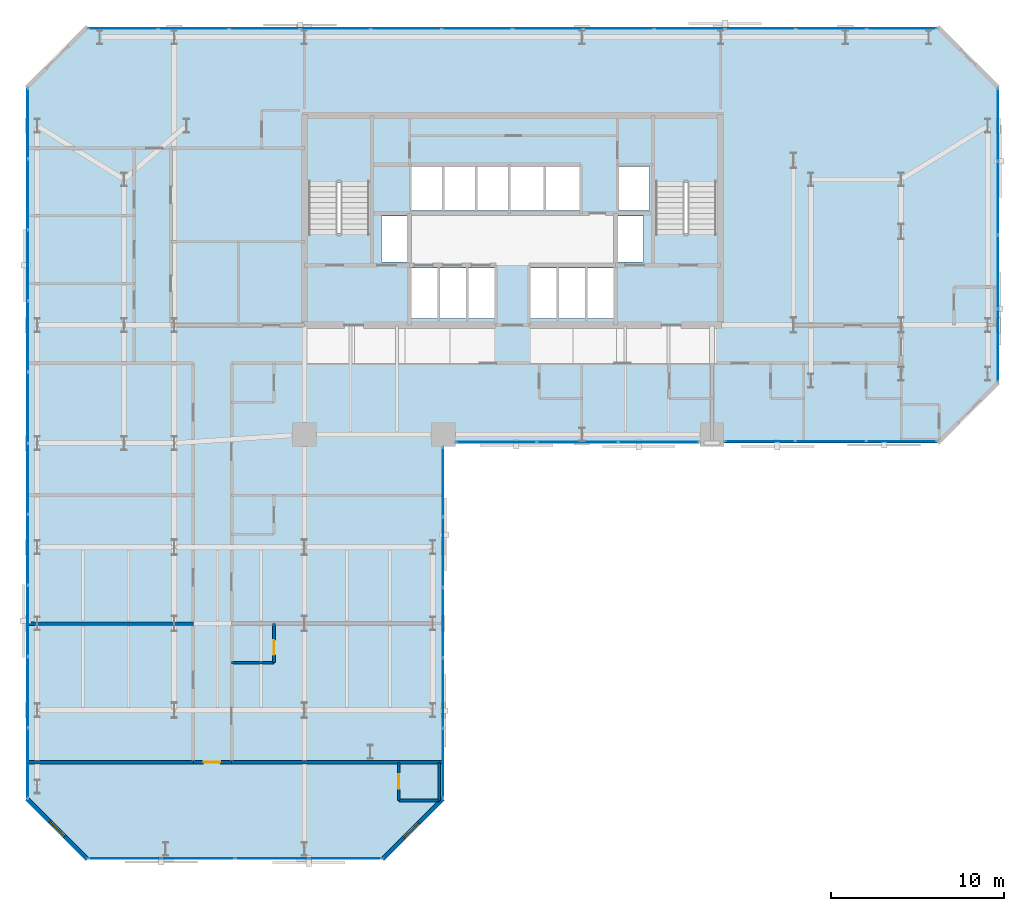
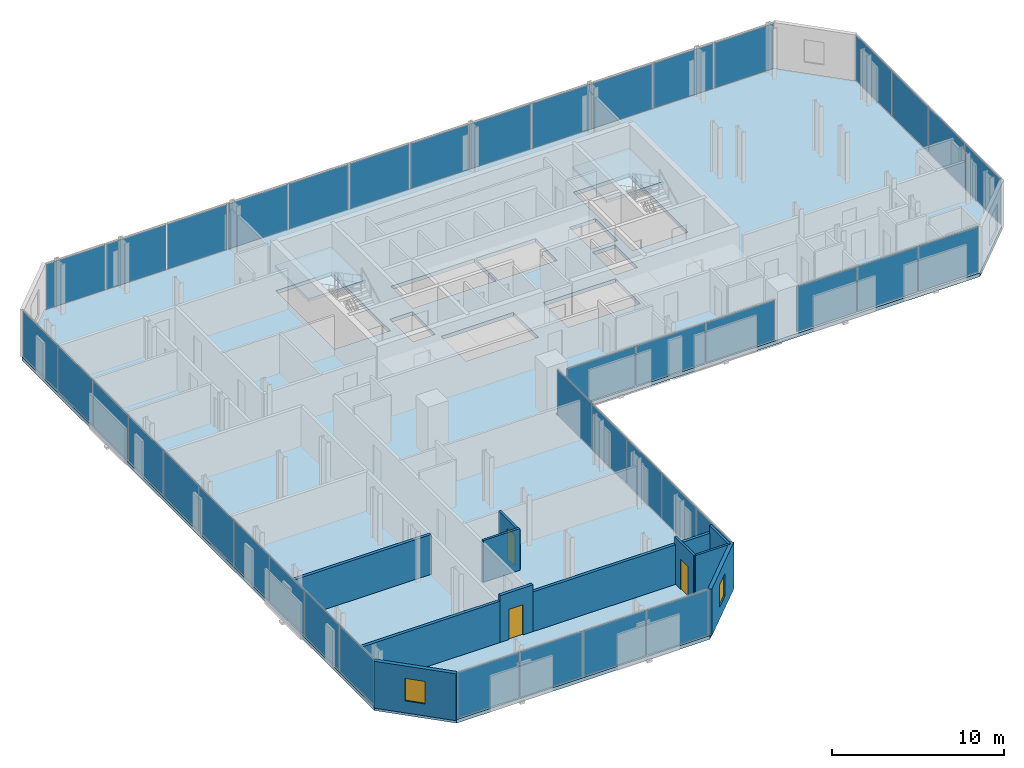
# One storey, part 27 of 32: 41 plates, 11 walls, 3 doors, 3 slabs, 2 windows, 5 openings, 9 elements without a shape of their own.
"""IFC4 building model written with IfcOpenShell, lengths in metres."""

import ifcopenshell
import ifcopenshell.guid

model = None  # the IFC model being written
_history = None  # IfcOwnerHistory: only IFC2X3 demands one
_inside = {}  # id of a spatial element -> (the spatial element, [elements in it])
_under = {}  # id of a project, library or spatial element -> (it, [spatial elements below it])
_declared = {}  # id of a project -> (the project, [libraries it declares])
_typed = {}  # id of a type object -> (the type object, [elements of that type])
_made_of = {}  # id of a material, layer set ... -> (it, [elements and type objects made of it])


def new_model(schema):
    """Start an empty IFC model of exactly this schema.

    Asked for "IFC4X3", IfcOpenShell would pick the latest addendum, in which some entities
    have other attributes; the version numbers below select the first issue.
    IFC2X3 requires an IfcOwnerHistory on every rooted entity: one is made here for all.
    """
    global model, _history
    if schema == "IFC4X3":
        model = ifcopenshell.file(schema_version=(4, 3, 0, 0))
    else:
        model = ifcopenshell.file(schema=schema)
    _inside.clear()
    _under.clear()
    _declared.clear()
    _typed.clear()
    _made_of.clear()
    _history = None
    if model.schema == "IFC2X3":
        org = make("IfcOrganization", Name="unknown")
        user = make(
            "IfcPersonAndOrganization",
            ThePerson=make("IfcPerson", FamilyName="unknown"),
            TheOrganization=org,
        )
        app = make(
            "IfcApplication",
            ApplicationDeveloper=org,
            Version="unknown",
            ApplicationFullName="unknown",
            ApplicationIdentifier="unknown",
        )
        _history = make(
            "IfcOwnerHistory",
            OwningUser=user,
            OwningApplication=app,
            ChangeAction="ADDED",
            CreationDate=0,
        )
    return model


def make(cls, **values):
    """One entity of the class cls with the attributes given. An attribute that is None is left unset."""
    return model.create_entity(
        cls, **{name: value for name, value in values.items() if value is not None}
    )


def rooted(cls, **values):
    """An entity with a GlobalId (a new one), such as an element, a storey or a relation."""
    return make(cls, GlobalId=ifcopenshell.guid.new(), OwnerHistory=_history, **values)


def si_unit(unit_type, name, prefix=None):
    """IfcSIUnit, for example si_unit("LENGTHUNIT", "METRE", prefix="MILLI")."""
    return make("IfcSIUnit", UnitType=unit_type, Prefix=prefix, Name=name)


def assignment(units):
    """IfcUnitAssignment: the units of a project."""
    return None if units is None else make("IfcUnitAssignment", Units=units)


def point(xyz):
    """IfcCartesianPoint."""
    return None if xyz is None else make("IfcCartesianPoint", Coordinates=xyz)


def direction(xyz):
    """IfcDirection."""
    return None if xyz is None else make("IfcDirection", DirectionRatios=xyz)


def frame(location, z_axis=None, x_axis=None):
    """IfcAxis2Placement3D, a coordinate frame: its origin and axes. An axis left out is left unset."""
    return make(
        "IfcAxis2Placement3D",
        Location=point(location),
        Axis=direction(z_axis),
        RefDirection=direction(x_axis),
    )


def frame_2d(location, x_axis=None):
    """IfcAxis2Placement2D, a coordinate frame in the plane: its origin and x axis."""
    return make(
        "IfcAxis2Placement2D", Location=point(location), RefDirection=direction(x_axis)
    )


def origin():
    """The frame at (0, 0, 0) with its axes left unset."""
    return frame((0.0, 0.0, 0.0))


def origin_2d():
    """The frame at (0, 0) in the plane with its x axis left unset."""
    return frame_2d((0.0, 0.0))


def place(relative_to, where):
    """IfcLocalPlacement: puts the frame where relative to a parent placement (None: the world)."""
    return make(
        "IfcLocalPlacement", PlacementRelTo=relative_to, RelativePlacement=where
    )


def context(
    kind, dimensions, precision=None, world=None, true_north=None, identifier=None
):
    """IfcGeometricRepresentationContext, for example the 3D "Model" context."""
    return make(
        "IfcGeometricRepresentationContext",
        ContextIdentifier=identifier,
        ContextType=kind,
        CoordinateSpaceDimension=dimensions,
        Precision=precision,
        WorldCoordinateSystem=world,
        TrueNorth=true_north,
    )


def subcontext(parent, identifier, kind, view, scale=None):
    """IfcGeometricRepresentationSubContext, for example "Body" below "Model"."""
    return make(
        "IfcGeometricRepresentationSubContext",
        ContextIdentifier=identifier,
        ContextType=kind,
        ParentContext=parent,
        TargetScale=scale,
        TargetView=view,
    )


def project(units=None, contexts=None):
    """IfcProject with its units and contexts."""
    return rooted(
        "IfcProject",
        Name="project",
        RepresentationContexts=contexts,
        UnitsInContext=assignment(units),
    )


def spatial(cls, under=None, at=None, **own):
    """A site, building, storey or space (cls), placed at a placement, below another one or the project."""
    s = rooted(cls, ObjectPlacement=at, **own)
    if under is not None:
        _under.setdefault(under.id(), (under, []))[1].append(s)
    return s


def polyline(points):
    """IfcPolyline through the points."""
    return make("IfcPolyline", Points=[point(p) for p in points])


def profile(cls, at=None, kind="AREA", **sizes):
    """A parametric profile (cls). Its sizes go by their IFC names, for example OverallWidth=200.0."""
    return make(cls, ProfileType=kind, Position=at, **sizes)


def rectangle(**sizes):
    """IfcRectangleProfileDef."""
    return profile("IfcRectangleProfileDef", **sizes)


def outline(outer, holes=None, kind="AREA"):
    """IfcArbitraryClosedProfileDef: a profile drawn as a closed curve; with holes, ...WithVoids."""
    if holes is None:
        return make("IfcArbitraryClosedProfileDef", ProfileType=kind, OuterCurve=outer)
    return make(
        "IfcArbitraryProfileDefWithVoids",
        ProfileType=kind,
        OuterCurve=outer,
        InnerCurves=holes,
    )


def extrude(swept, where, along, depth):
    """IfcExtrudedAreaSolid: the profile swept, set in the frame where, extruded along a direction by depth."""
    return make(
        "IfcExtrudedAreaSolid",
        SweptArea=swept,
        Position=where,
        ExtrudedDirection=direction(along),
        Depth=depth,
    )


def shape(context_of_items, identifier, shape_type, items):
    """IfcShapeRepresentation: the items that make up one representation, for example the "Body"."""
    return make(
        "IfcShapeRepresentation",
        ContextOfItems=context_of_items,
        RepresentationIdentifier=identifier,
        RepresentationType=shape_type,
        Items=items,
    )


def material(Name=None, Category=None):
    """IfcMaterial."""
    return make("IfcMaterial", Name=Name, Category=Category)


def layer(
    of_material, thickness, ventilated=None, Name=None, Category=None, Priority=None
):
    """IfcMaterialLayer: one layer of a wall or slab, of a material (None: an air gap)."""
    return make(
        "IfcMaterialLayer",
        Material=of_material,
        LayerThickness=thickness,
        IsVentilated=ventilated,
        Name=Name,
        Category=Category,
        Priority=Priority,
    )


def layer_set(layers, Name=None):
    """IfcMaterialLayerSet."""
    return make("IfcMaterialLayerSet", MaterialLayers=layers, LayerSetName=Name)


def made_of(thing, what):
    """Note that an element or type object is made of a material, layer set ...; save() writes the relation."""
    if what is not None:
        _made_of.setdefault(what.id(), (what, []))[1].append(thing)
    return thing


def type_object(cls, material=None, **own):
    """A type object (cls), such as IfcWallType, which elements share."""
    return made_of(rooted(cls, **own), material)


def element(
    cls,
    number,
    at=None,
    inside=None,
    cuts=None,
    type_object=None,
    material=None,
    context=None,
    identifier="Body",
    shape_type=None,
    held_by="IfcProductDefinitionShape",
    body=None,
    shapes=None,
    **own,
):
    """One element of the class cls, such as IfcWall. Its Tag is "e" and its number.

    at: its placement. inside: the storey or other place that contains it. cuts: it is an
    opening in that element (IfcRelVoidsElement). A single representation is given by context,
    identifier, shape_type and body (its items); several are given by shapes. held_by: the class
    of the entity that holds the representations. save() writes the other relations.
    """
    e = rooted(cls, Tag="e%d" % number, ObjectPlacement=at, **own)
    if body is not None:
        shapes = [shape(context, identifier, shape_type, body)]
    if shapes is not None:
        e.Representation = make(held_by, Representations=shapes)
    if inside is not None:
        _inside.setdefault(inside.id(), (inside, []))[1].append(e)
    if cuts is not None:
        rooted(
            "IfcRelVoidsElement", RelatingBuildingElement=cuts, RelatedOpeningElement=e
        )
    if type_object is not None:
        _typed.setdefault(type_object.id(), (type_object, []))[1].append(e)
    return made_of(e, material)


def fill(opening, filler):
    """IfcRelFillsElement: the door or window that sits in an opening."""
    return rooted(
        "IfcRelFillsElement",
        RelatingOpeningElement=opening,
        RelatedBuildingElement=filler,
    )


def aggregate(whole, parts):
    """IfcRelAggregates: a whole, such as a stair, and the parts it consists of."""
    return rooted("IfcRelAggregates", RelatingObject=whole, RelatedObjects=parts)


def save(model, path):
    """Write the relations noted so far, then the file.

    IfcRelAggregates (storeys below a building ...), IfcRelContainedInSpatialStructure (elements
    in a storey), IfcRelDefinesByType, IfcRelAssociatesMaterial and IfcRelDeclares: one each for
    every whole, place, type object, material and project.
    """
    for whole, parts in _under.values():
        aggregate(whole, parts)
    for where, things in _inside.values():
        rooted(
            "IfcRelContainedInSpatialStructure",
            RelatedElements=things,
            RelatingStructure=where,
        )
    for kind, things in _typed.values():
        rooted("IfcRelDefinesByType", RelatedObjects=things, RelatingType=kind)
    for what, things in _made_of.values():
        rooted("IfcRelAssociatesMaterial", RelatedObjects=things, RelatingMaterial=what)
    for by, libraries in _declared.values():
        rooted("IfcRelDeclares", RelatingContext=by, RelatedDefinitions=libraries)
    model.write(path)


model = new_model("IFC4")

# Units and contexts
model_context = context("Model", 3, precision=1e-05, world=origin(), true_north=direction((0.0, 1.0)))
body_context = subcontext(model_context, "Body", "Model", "MODEL_VIEW")
ifc_project = project(units=[si_unit("LENGTHUNIT", "METRE"), si_unit("AREAUNIT", "SQUARE_METRE"), si_unit("VOLUMEUNIT", "CUBIC_METRE"), si_unit("PLANEANGLEUNIT", "RADIAN"), si_unit("MASSUNIT", "GRAM", prefix="KILO")], contexts=[model_context])

# Site, building, storey
site_placement = place(None, origin())
site = spatial("IfcSite", under=ifc_project, at=site_placement, CompositionType="ELEMENT")
building_placement = place(site_placement, origin())
building = spatial("IfcBuilding", under=site, at=building_placement, Name="Catumbela Crestline Tower", CompositionType="ELEMENT")
storey_placement = place(building_placement, frame((0.0, 0.0, 61.8)))
storey = spatial("IfcBuildingStorey", under=building, at=storey_placement, Name="L15", CompositionType="ELEMENT", Elevation=61.8)

# Curtain wall, plates
ifc_material_1 = material(Name="Aluminium alloy AW-6060-T66", Category="aluminium")
ifc_layer_1 = layer(ifc_material_1, 0.18, Name="Aluminium alloy AW-6060-T66")
ifc_layer_set_1 = layer_set([ifc_layer_1], Name="Aluminium alloy AW-6060-T66")
curtain_wall_type = type_object("IfcCurtainWallType", Name="CWU-Z1", PredefinedType="USERDEFINED", material=ifc_layer_set_1)
curtain_wall_1_placement = place(storey_placement, origin())
curtain_wall_1 = element("IfcCurtainWall", 1, at=curtain_wall_1_placement, inside=storey, type_object=curtain_wall_type, Name="L15 Unitised Curtain Wall CW-L15-E0S1", ObjectType="UNITISED", PredefinedType="USERDEFINED")
ifc_material_2 = material(Name="Low-E laminated solar-control double glazing", Category="glass")
ifc_layer_2 = layer(ifc_material_2, 0.034, Name="Low-E laminated solar-control double glazing")
ifc_layer_set_2 = layer_set([ifc_layer_2], Name="Low-E laminated solar-control double glazing")
plate_type = type_object("IfcPlateType", Name="PNL-GLZ-Z1", PredefinedType="CURTAIN_PANEL", material=ifc_layer_set_2)
plate_1_placement = place(storey_placement, frame((5.6412, 0.05, 0.06), z_axis=(0.0, 0.0, 1.0), x_axis=(1.0, 0.0, 0.0)))
plate_1 = element("IfcPlate", 2, at=plate_1_placement, type_object=plate_type, Name="CWU-Z1 panel 1.1", PredefinedType="CURTAIN_PANEL", context=body_context, shape_type="SweptSolid", body=[
    extrude(rectangle(XDim=4.1525, YDim=0.034, at=origin_2d()), origin(), (0.0, 0.0, 1.0), 3.21),
])
plate_2_placement = place(storey_placement, frame((9.875, 0.05, 0.06), z_axis=(0.0, 0.0, 1.0), x_axis=(1.0, 0.0, 0.0)))
plate_2 = element("IfcPlate", 3, at=plate_2_placement, type_object=plate_type, Name="CWU-Z1 panel 2.1", PredefinedType="CURTAIN_PANEL", context=body_context, shape_type="SweptSolid", body=[
    extrude(rectangle(XDim=4.185, YDim=0.034, at=origin_2d()), origin(), (0.0, 0.0, 1.0), 3.21),
])
plate_3_placement = place(storey_placement, frame((14.125, 0.05, 0.06), z_axis=(0.0, 0.0, 1.0), x_axis=(1.0, 0.0, 0.0)))
plate_3 = element("IfcPlate", 4, at=plate_3_placement, type_object=plate_type, Name="CWU-Z1 panel 3.1", PredefinedType="CURTAIN_PANEL", context=body_context, shape_type="SweptSolid", body=[
    extrude(rectangle(XDim=4.185, YDim=0.034, at=origin_2d()), origin(), (0.0, 0.0, 1.0), 3.21),
])
plate_4_placement = place(storey_placement, frame((18.3588, 0.05, 0.06), z_axis=(0.0, 0.0, 1.0), x_axis=(1.0, 0.0, 0.0)))
plate_4 = element("IfcPlate", 5, at=plate_4_placement, type_object=plate_type, Name="CWU-Z1 panel 4.1", PredefinedType="CURTAIN_PANEL", context=body_context, shape_type="SweptSolid", body=[
    extrude(rectangle(XDim=4.1525, YDim=0.034, at=origin_2d()), origin(), (0.0, 0.0, 1.0), 3.21),
])
aggregate(curtain_wall_1, [plate_1, plate_2, plate_3, plate_4])

curtain_wall_2_placement = place(storey_placement, origin())
curtain_wall_2 = element("IfcCurtainWall", 6, at=curtain_wall_2_placement, inside=storey, type_object=curtain_wall_type, Name="L15 Unitised Curtain Wall CW-L15-E2S1", ObjectType="UNITISED", PredefinedType="USERDEFINED")
plate_5_placement = place(storey_placement, frame((24.0, 5.5462, 0.06), z_axis=(0.0, 0.0, 1.0), x_axis=(0.0, 1.0, 0.0)))
plate_5 = element("IfcPlate", 7, at=plate_5_placement, type_object=plate_type, Name="CWU-Z1 panel 1.1", PredefinedType="CURTAIN_PANEL", context=body_context, shape_type="SweptSolid", body=[
    extrude(rectangle(XDim=3.9625, YDim=0.034, at=origin_2d()), origin(), (0.0, 0.0, 1.0), 3.21),
])
plate_6_placement = place(storey_placement, frame((24.0, 9.59, 0.06), z_axis=(0.0, 0.0, 1.0), x_axis=(0.0, 1.0, 0.0)))
plate_6 = element("IfcPlate", 8, at=plate_6_placement, type_object=plate_type, Name="CWU-Z1 panel 2.1", PredefinedType="CURTAIN_PANEL", context=body_context, shape_type="SweptSolid", body=[
    extrude(rectangle(XDim=3.995, YDim=0.034, at=origin_2d()), origin(), (0.0, 0.0, 1.0), 3.21),
])
plate_7_placement = place(storey_placement, frame((24.0, 13.65, 0.06), z_axis=(0.0, 0.0, 1.0), x_axis=(0.0, 1.0, 0.0)))
plate_7 = element("IfcPlate", 9, at=plate_7_placement, type_object=plate_type, Name="CWU-Z1 panel 3.1", PredefinedType="CURTAIN_PANEL", context=body_context, shape_type="SweptSolid", body=[
    extrude(rectangle(XDim=3.995, YDim=0.034, at=origin_2d()), origin(), (0.0, 0.0, 1.0), 3.21),
])
plate_8_placement = place(storey_placement, frame((24.0, 17.71, 0.06), z_axis=(0.0, 0.0, 1.0), x_axis=(0.0, 1.0, 0.0)))
plate_8 = element("IfcPlate", 10, at=plate_8_placement, type_object=plate_type, Name="CWU-Z1 panel 4.1", PredefinedType="CURTAIN_PANEL", context=body_context, shape_type="SweptSolid", body=[
    extrude(rectangle(XDim=3.995, YDim=0.034, at=origin_2d()), origin(), (0.0, 0.0, 1.0), 3.21),
])
plate_9_placement = place(storey_placement, frame((24.0, 21.7538, 0.06), z_axis=(0.0, 0.0, 1.0), x_axis=(0.0, 1.0, 0.0)))
plate_9 = element("IfcPlate", 11, at=plate_9_placement, type_object=plate_type, Name="CWU-Z1 panel 5.1", PredefinedType="CURTAIN_PANEL", context=body_context, shape_type="SweptSolid", body=[
    extrude(rectangle(XDim=3.9625, YDim=0.034, at=origin_2d()), origin(), (0.0, 0.0, 1.0), 3.21),
])
aggregate(curtain_wall_2, [plate_5, plate_6, plate_7, plate_8, plate_9])

curtain_wall_3_placement = place(storey_placement, origin())
curtain_wall_3 = element("IfcCurtainWall", 12, at=curtain_wall_3_placement, inside=storey, type_object=curtain_wall_type, Name="L15 Unitised Curtain Wall CW-L15-E3S1", ObjectType="UNITISED", PredefinedType="USERDEFINED")
plate_10_placement = place(storey_placement, frame((27.0662, 24.05, 0.06), z_axis=(0.0, 0.0, 1.0), x_axis=(1.0, 0.0, 0.0)))
plate_10 = element("IfcPlate", 13, at=plate_10_placement, type_object=plate_type, Name="CWU-Z1 panel 1.1", PredefinedType="CURTAIN_PANEL", context=body_context, shape_type="SweptSolid", body=[
    extrude(rectangle(XDim=4.6025, YDim=0.034, at=origin_2d()), origin(), (0.0, 0.0, 1.0), 2.81),
])
plate_11_placement = place(storey_placement, frame((31.75, 24.05, 0.06), z_axis=(0.0, 0.0, 1.0), x_axis=(1.0, 0.0, 0.0)))
plate_11 = element("IfcPlate", 14, at=plate_11_placement, type_object=plate_type, Name="CWU-Z1 panel 2.1", PredefinedType="CURTAIN_PANEL", context=body_context, shape_type="SweptSolid", body=[
    extrude(rectangle(XDim=4.635, YDim=0.034, at=origin_2d()), origin(), (0.0, 0.0, 1.0), 2.81),
])
plate_12_placement = place(storey_placement, frame((36.4338, 24.05, 0.06), z_axis=(0.0, 0.0, 1.0), x_axis=(1.0, 0.0, 0.0)))
plate_12 = element("IfcPlate", 15, at=plate_12_placement, type_object=plate_type, Name="CWU-Z1 panel 3.1", PredefinedType="CURTAIN_PANEL", context=body_context, shape_type="SweptSolid", body=[
    extrude(rectangle(XDim=4.6025, YDim=0.034, at=origin_2d()), origin(), (0.0, 0.0, 1.0), 2.81),
])
aggregate(curtain_wall_3, [plate_10, plate_11, plate_12])

curtain_wall_4_placement = place(storey_placement, origin())
curtain_wall_4 = element("IfcCurtainWall", 16, at=curtain_wall_4_placement, inside=storey, type_object=curtain_wall_type, Name="L15 Unitised Curtain Wall CW-L15-E3S2", ObjectType="UNITISED", PredefinedType="USERDEFINED")
plate_13_placement = place(storey_placement, frame((42.2662, 24.1, 0.06), z_axis=(0.0, 0.0, 1.0), x_axis=(1.0, 0.0, 0.0)))
plate_13 = element("IfcPlate", 17, at=plate_13_placement, type_object=plate_type, Name="CWU-Z1 panel 1.1", PredefinedType="CURTAIN_PANEL", context=body_context, shape_type="SweptSolid", body=[
    extrude(rectangle(XDim=4.0025, YDim=0.034, at=origin_2d()), origin(), (0.0, 0.0, 1.0), 3.21),
])
plate_14_placement = place(storey_placement, frame((46.35, 24.1, 0.06), z_axis=(0.0, 0.0, 1.0), x_axis=(1.0, 0.0, 0.0)))
plate_14 = element("IfcPlate", 18, at=plate_14_placement, type_object=plate_type, Name="CWU-Z1 panel 2.1", PredefinedType="CURTAIN_PANEL", context=body_context, shape_type="SweptSolid", body=[
    extrude(rectangle(XDim=4.035, YDim=0.034, at=origin_2d()), origin(), (0.0, 0.0, 1.0), 3.21),
])
plate_15_placement = place(storey_placement, frame((50.4338, 24.1, 0.06), z_axis=(0.0, 0.0, 1.0), x_axis=(1.0, 0.0, 0.0)))
plate_15 = element("IfcPlate", 19, at=plate_15_placement, type_object=plate_type, Name="CWU-Z1 panel 3.1", PredefinedType="CURTAIN_PANEL", context=body_context, shape_type="SweptSolid", body=[
    extrude(rectangle(XDim=4.0025, YDim=0.034, at=origin_2d()), origin(), (0.0, 0.0, 1.0), 3.21),
])
aggregate(curtain_wall_4, [plate_13, plate_14, plate_15])

curtain_wall_5_placement = place(storey_placement, origin())
curtain_wall_5 = element("IfcCurtainWall", 20, at=curtain_wall_5_placement, inside=storey, type_object=curtain_wall_type, Name="L15 Unitised Curtain Wall CW-L15-E5S1", ObjectType="UNITISED", PredefinedType="USERDEFINED")
plate_16_placement = place(storey_placement, frame((56.0, 29.6412, 0.06), z_axis=(0.0, 0.0, 1.0), x_axis=(0.0, 1.0, 0.0)))
plate_16 = element("IfcPlate", 21, at=plate_16_placement, type_object=plate_type, Name="CWU-Z1 panel 1.1", PredefinedType="CURTAIN_PANEL", context=body_context, shape_type="SweptSolid", body=[
    extrude(rectangle(XDim=4.1525, YDim=0.034, at=origin_2d()), origin(), (0.0, 0.0, 1.0), 3.21),
])
plate_17_placement = place(storey_placement, frame((56.0, 33.875, 0.06), z_axis=(0.0, 0.0, 1.0), x_axis=(0.0, 1.0, 0.0)))
plate_17 = element("IfcPlate", 22, at=plate_17_placement, type_object=plate_type, Name="CWU-Z1 panel 2.1", PredefinedType="CURTAIN_PANEL", context=body_context, shape_type="SweptSolid", body=[
    extrude(rectangle(XDim=4.185, YDim=0.034, at=origin_2d()), origin(), (0.0, 0.0, 1.0), 3.21),
])
plate_18_placement = place(storey_placement, frame((56.0, 38.125, 0.06), z_axis=(0.0, 0.0, 1.0), x_axis=(0.0, 1.0, 0.0)))
plate_18 = element("IfcPlate", 23, at=plate_18_placement, type_object=plate_type, Name="CWU-Z1 panel 3.1", PredefinedType="CURTAIN_PANEL", context=body_context, shape_type="SweptSolid", body=[
    extrude(rectangle(XDim=4.185, YDim=0.034, at=origin_2d()), origin(), (0.0, 0.0, 1.0), 3.21),
])
plate_19_placement = place(storey_placement, frame((56.0, 42.3588, 0.06), z_axis=(0.0, 0.0, 1.0), x_axis=(0.0, 1.0, 0.0)))
plate_19 = element("IfcPlate", 24, at=plate_19_placement, type_object=plate_type, Name="CWU-Z1 panel 4.1", PredefinedType="CURTAIN_PANEL", context=body_context, shape_type="SweptSolid", body=[
    extrude(rectangle(XDim=4.1525, YDim=0.034, at=origin_2d()), origin(), (0.0, 0.0, 1.0), 3.21),
])
aggregate(curtain_wall_5, [plate_16, plate_17, plate_18, plate_19])

curtain_wall_6_placement = place(storey_placement, origin())
curtain_wall_6 = element("IfcCurtainWall", 25, at=curtain_wall_6_placement, inside=storey, type_object=curtain_wall_type, Name="L15 Unitised Curtain Wall CW-L15-E7S1", ObjectType="UNITISED", PredefinedType="USERDEFINED")
plate_20_placement = place(storey_placement, frame((50.4421, 47.9, 0.06), z_axis=(0.0, 0.0, 1.0), x_axis=(-1.0, 0.0, 0.0)))
plate_20 = element("IfcPlate", 26, at=plate_20_placement, type_object=plate_type, Name="CWU-Z1 panel 1.1", PredefinedType="CURTAIN_PANEL", context=body_context, shape_type="SweptSolid", body=[
    extrude(rectangle(XDim=3.9858, YDim=0.034, at=origin_2d()), origin(), (0.0, 0.0, 1.0), 3.21),
])
plate_21_placement = place(storey_placement, frame((46.375, 47.9, 0.06), z_axis=(0.0, 0.0, 1.0), x_axis=(-1.0, 0.0, 0.0)))
plate_21 = element("IfcPlate", 27, at=plate_21_placement, type_object=plate_type, Name="CWU-Z1 panel 2.1", PredefinedType="CURTAIN_PANEL", context=body_context, shape_type="SweptSolid", body=[
    extrude(rectangle(XDim=4.0183, YDim=0.034, at=origin_2d()), origin(), (0.0, 0.0, 1.0), 3.21),
])
plate_22_placement = place(storey_placement, frame((42.2917, 47.9, 0.06), z_axis=(0.0, 0.0, 1.0), x_axis=(-1.0, 0.0, 0.0)))
plate_22 = element("IfcPlate", 28, at=plate_22_placement, type_object=plate_type, Name="CWU-Z1 panel 3.1", PredefinedType="CURTAIN_PANEL", context=body_context, shape_type="SweptSolid", body=[
    extrude(rectangle(XDim=4.0183, YDim=0.034, at=origin_2d()), origin(), (0.0, 0.0, 1.0), 3.21),
])
plate_23_placement = place(storey_placement, frame((38.2083, 47.9, 0.06), z_axis=(0.0, 0.0, 1.0), x_axis=(-1.0, 0.0, 0.0)))
plate_23 = element("IfcPlate", 29, at=plate_23_placement, type_object=plate_type, Name="CWU-Z1 panel 4.1", PredefinedType="CURTAIN_PANEL", context=body_context, shape_type="SweptSolid", body=[
    extrude(rectangle(XDim=4.0183, YDim=0.034, at=origin_2d()), origin(), (0.0, 0.0, 1.0), 3.21),
])
plate_24_placement = place(storey_placement, frame((34.125, 47.9, 0.06), z_axis=(0.0, 0.0, 1.0), x_axis=(-1.0, 0.0, 0.0)))
plate_24 = element("IfcPlate", 30, at=plate_24_placement, type_object=plate_type, Name="CWU-Z1 panel 5.1", PredefinedType="CURTAIN_PANEL", context=body_context, shape_type="SweptSolid", body=[
    extrude(rectangle(XDim=4.0183, YDim=0.034, at=origin_2d()), origin(), (0.0, 0.0, 1.0), 3.21),
])
plate_25_placement = place(storey_placement, frame((30.0417, 47.9, 0.06), z_axis=(0.0, 0.0, 1.0), x_axis=(-1.0, 0.0, 0.0)))
plate_25 = element("IfcPlate", 31, at=plate_25_placement, type_object=plate_type, Name="CWU-Z1 panel 6.1", PredefinedType="CURTAIN_PANEL", context=body_context, shape_type="SweptSolid", body=[
    extrude(rectangle(XDim=4.0183, YDim=0.034, at=origin_2d()), origin(), (0.0, 0.0, 1.0), 3.21),
])
plate_26_placement = place(storey_placement, frame((25.9583, 47.9, 0.06), z_axis=(0.0, 0.0, 1.0), x_axis=(-1.0, 0.0, 0.0)))
plate_26 = element("IfcPlate", 32, at=plate_26_placement, type_object=plate_type, Name="CWU-Z1 panel 7.1", PredefinedType="CURTAIN_PANEL", context=body_context, shape_type="SweptSolid", body=[
    extrude(rectangle(XDim=4.0183, YDim=0.034, at=origin_2d()), origin(), (0.0, 0.0, 1.0), 3.21),
])
plate_27_placement = place(storey_placement, frame((21.875, 47.9, 0.06), z_axis=(0.0, 0.0, 1.0), x_axis=(-1.0, 0.0, 0.0)))
plate_27 = element("IfcPlate", 33, at=plate_27_placement, type_object=plate_type, Name="CWU-Z1 panel 8.1", PredefinedType="CURTAIN_PANEL", context=body_context, shape_type="SweptSolid", body=[
    extrude(rectangle(XDim=4.0183, YDim=0.034, at=origin_2d()), origin(), (0.0, 0.0, 1.0), 3.21),
])
plate_28_placement = place(storey_placement, frame((17.7917, 47.9, 0.06), z_axis=(0.0, 0.0, 1.0), x_axis=(-1.0, 0.0, 0.0)))
plate_28 = element("IfcPlate", 34, at=plate_28_placement, type_object=plate_type, Name="CWU-Z1 panel 9.1", PredefinedType="CURTAIN_PANEL", context=body_context, shape_type="SweptSolid", body=[
    extrude(rectangle(XDim=4.0183, YDim=0.034, at=origin_2d()), origin(), (0.0, 0.0, 1.0), 3.21),
])
plate_29_placement = place(storey_placement, frame((13.7083, 47.9, 0.06), z_axis=(0.0, 0.0, 1.0), x_axis=(-1.0, 0.0, 0.0)))
plate_29 = element("IfcPlate", 35, at=plate_29_placement, type_object=plate_type, Name="CWU-Z1 panel 10.1", PredefinedType="CURTAIN_PANEL", context=body_context, shape_type="SweptSolid", body=[
    extrude(rectangle(XDim=4.0183, YDim=0.034, at=origin_2d()), origin(), (0.0, 0.0, 1.0), 3.21),
])
plate_30_placement = place(storey_placement, frame((9.625, 47.9, 0.06), z_axis=(0.0, 0.0, 1.0), x_axis=(-1.0, 0.0, 0.0)))
plate_30 = element("IfcPlate", 36, at=plate_30_placement, type_object=plate_type, Name="CWU-Z1 panel 11.1", PredefinedType="CURTAIN_PANEL", context=body_context, shape_type="SweptSolid", body=[
    extrude(rectangle(XDim=4.0183, YDim=0.034, at=origin_2d()), origin(), (0.0, 0.0, 1.0), 3.21),
])
plate_31_placement = place(storey_placement, frame((5.5579, 47.9, 0.06), z_axis=(0.0, 0.0, 1.0), x_axis=(-1.0, 0.0, 0.0)))
plate_31 = element("IfcPlate", 37, at=plate_31_placement, type_object=plate_type, Name="CWU-Z1 panel 12.1", PredefinedType="CURTAIN_PANEL", context=body_context, shape_type="SweptSolid", body=[
    extrude(rectangle(XDim=3.9858, YDim=0.034, at=origin_2d()), origin(), (0.0, 0.0, 1.0), 3.21),
])
aggregate(curtain_wall_6, [plate_20, plate_21, plate_22, plate_23, plate_24, plate_25, plate_26, plate_27, plate_28, plate_29, plate_30, plate_31])

curtain_wall_7_placement = place(storey_placement, origin())
curtain_wall_7 = element("IfcCurtainWall", 38, at=curtain_wall_7_placement, inside=storey, type_object=curtain_wall_type, Name="L15 Unitised Curtain Wall CW-L15-E9S1", ObjectType="UNITISED", PredefinedType="USERDEFINED")
plate_32_placement = place(storey_placement, frame((0.05, 42.4338, 0.06), z_axis=(0.0, 0.0, 1.0), x_axis=(0.0, -1.0, 0.0)))
plate_32 = element("IfcPlate", 39, at=plate_32_placement, type_object=plate_type, Name="CWU-Z1 panel 1.1", PredefinedType="CURTAIN_PANEL", context=body_context, shape_type="SweptSolid", body=[
    extrude(rectangle(XDim=4.0025, YDim=0.034, at=origin_2d()), origin(), (0.0, 0.0, 1.0), 3.21),
])
plate_33_placement = place(storey_placement, frame((0.05, 38.35, 0.06), z_axis=(0.0, 0.0, 1.0), x_axis=(0.0, -1.0, 0.0)))
plate_33 = element("IfcPlate", 40, at=plate_33_placement, type_object=plate_type, Name="CWU-Z1 panel 2.1", PredefinedType="CURTAIN_PANEL", context=body_context, shape_type="SweptSolid", body=[
    extrude(rectangle(XDim=4.035, YDim=0.034, at=origin_2d()), origin(), (0.0, 0.0, 1.0), 3.21),
])
plate_34_placement = place(storey_placement, frame((0.05, 34.25, 0.06), z_axis=(0.0, 0.0, 1.0), x_axis=(0.0, -1.0, 0.0)))
plate_34 = element("IfcPlate", 41, at=plate_34_placement, type_object=plate_type, Name="CWU-Z1 panel 3.1", PredefinedType="CURTAIN_PANEL", context=body_context, shape_type="SweptSolid", body=[
    extrude(rectangle(XDim=4.035, YDim=0.034, at=origin_2d()), origin(), (0.0, 0.0, 1.0), 3.21),
])
plate_35_placement = place(storey_placement, frame((0.05, 30.15, 0.06), z_axis=(0.0, 0.0, 1.0), x_axis=(0.0, -1.0, 0.0)))
plate_35 = element("IfcPlate", 42, at=plate_35_placement, type_object=plate_type, Name="CWU-Z1 panel 4.1", PredefinedType="CURTAIN_PANEL", context=body_context, shape_type="SweptSolid", body=[
    extrude(rectangle(XDim=4.035, YDim=0.034, at=origin_2d()), origin(), (0.0, 0.0, 1.0), 3.21),
])
plate_36_placement = place(storey_placement, frame((0.05, 26.05, 0.06), z_axis=(0.0, 0.0, 1.0), x_axis=(0.0, -1.0, 0.0)))
plate_36 = element("IfcPlate", 43, at=plate_36_placement, type_object=plate_type, Name="CWU-Z1 panel 5.1", PredefinedType="CURTAIN_PANEL", context=body_context, shape_type="SweptSolid", body=[
    extrude(rectangle(XDim=4.035, YDim=0.034, at=origin_2d()), origin(), (0.0, 0.0, 1.0), 3.21),
])
plate_37_placement = place(storey_placement, frame((0.05, 21.95, 0.06), z_axis=(0.0, 0.0, 1.0), x_axis=(0.0, -1.0, 0.0)))
plate_37 = element("IfcPlate", 44, at=plate_37_placement, type_object=plate_type, Name="CWU-Z1 panel 6.1", PredefinedType="CURTAIN_PANEL", context=body_context, shape_type="SweptSolid", body=[
    extrude(rectangle(XDim=4.035, YDim=0.034, at=origin_2d()), origin(), (0.0, 0.0, 1.0), 3.21),
])
plate_38_placement = place(storey_placement, frame((0.05, 17.85, 0.06), z_axis=(0.0, 0.0, 1.0), x_axis=(0.0, -1.0, 0.0)))
plate_38 = element("IfcPlate", 45, at=plate_38_placement, type_object=plate_type, Name="CWU-Z1 panel 7.1", PredefinedType="CURTAIN_PANEL", context=body_context, shape_type="SweptSolid", body=[
    extrude(rectangle(XDim=4.035, YDim=0.034, at=origin_2d()), origin(), (0.0, 0.0, 1.0), 3.21),
])
plate_39_placement = place(storey_placement, frame((0.05, 13.75, 0.06), z_axis=(0.0, 0.0, 1.0), x_axis=(0.0, -1.0, 0.0)))
plate_39 = element("IfcPlate", 46, at=plate_39_placement, type_object=plate_type, Name="CWU-Z1 panel 8.1", PredefinedType="CURTAIN_PANEL", context=body_context, shape_type="SweptSolid", body=[
    extrude(rectangle(XDim=4.035, YDim=0.034, at=origin_2d()), origin(), (0.0, 0.0, 1.0), 3.21),
])
plate_40_placement = place(storey_placement, frame((0.05, 9.65, 0.06), z_axis=(0.0, 0.0, 1.0), x_axis=(0.0, -1.0, 0.0)))
plate_40 = element("IfcPlate", 47, at=plate_40_placement, type_object=plate_type, Name="CWU-Z1 panel 9.1", PredefinedType="CURTAIN_PANEL", context=body_context, shape_type="SweptSolid", body=[
    extrude(rectangle(XDim=4.035, YDim=0.034, at=origin_2d()), origin(), (0.0, 0.0, 1.0), 3.21),
])
plate_41_placement = place(storey_placement, frame((0.05, 5.5662, 0.06), z_axis=(0.0, 0.0, 1.0), x_axis=(0.0, -1.0, 0.0)))
plate_41 = element("IfcPlate", 48, at=plate_41_placement, type_object=plate_type, Name="CWU-Z1 panel 10.1", PredefinedType="CURTAIN_PANEL", context=body_context, shape_type="SweptSolid", body=[
    extrude(rectangle(XDim=4.0025, YDim=0.034, at=origin_2d()), origin(), (0.0, 0.0, 1.0), 3.21),
])
aggregate(curtain_wall_7, [plate_32, plate_33, plate_34, plate_35, plate_36, plate_37, plate_38, plate_39, plate_40, plate_41])

# Stair, slab
ifc_material_3 = material(Name="Concrete C45/55", Category="concrete")
stair_type = type_object("IfcStairType", Name="ST-DLG", PredefinedType="HALF_TURN_STAIR", material=ifc_material_3)
stair_1_placement = place(storey_placement, origin())
stair_1 = element("IfcStair", 49, at=stair_1_placement, inside=storey, type_object=stair_type, Name="L15 West Core Pressurised Exit Stair ST-01", PredefinedType="HALF_TURN_STAIR")
ifc_layer_3 = layer(ifc_material_3, 0.2, Name="Concrete C45/55")
ifc_layer_set_3 = layer_set([ifc_layer_3], Name="Concrete C45/55")
slab_type_1 = type_object("IfcSlabType", Name="SL-LND", PredefinedType="LANDING", material=ifc_layer_set_3)
slab_1_placement = place(storey_placement, frame((0.0, 0.0, 1.6)))
slab_1 = element("IfcSlab", 50, at=slab_1_placement, type_object=slab_type_1, Name="ST-01 landing 1", PredefinedType="LANDING", context=body_context, shape_type="SweptSolid", body=[
    extrude(outline(polyline([(19.91, 39.02), (19.91, 42.96), (16.09, 42.96), (16.09, 39.02), (19.91, 39.02)])), origin(), (0.0, 0.0, 1.0), 0.2),
])
aggregate(stair_1, [slab_1])

stair_2_placement = place(storey_placement, origin())
stair_2 = element("IfcStair", 51, at=stair_2_placement, inside=storey, type_object=stair_type, Name="L15 East Core Pressurised Exit Stair ST-02", PredefinedType="HALF_TURN_STAIR")
slab_2_placement = place(storey_placement, frame((0.0, 0.0, 1.6)))
slab_2 = element("IfcSlab", 52, at=slab_2_placement, type_object=slab_type_1, Name="ST-02 landing 1", PredefinedType="LANDING", context=body_context, shape_type="SweptSolid", body=[
    extrude(outline(polyline([(39.91, 39.02), (39.91, 42.96), (36.09, 42.96), (36.09, 39.02), (39.91, 39.02)])), origin(), (0.0, 0.0, 1.0), 0.2),
])
aggregate(stair_2, [slab_2])

# Slab
ifc_layer_4 = layer(ifc_material_3, 0.26, Name="Concrete C45/55")
ifc_layer_set_4 = layer_set([ifc_layer_4], Name="Concrete C45/55")
slab_type_2 = type_object("IfcSlabType", Name="SL-260", PredefinedType="FLOOR", material=ifc_layer_set_4)
slab_3_placement = place(storey_placement, frame((0.0, 0.0, -0.26)))
element("IfcSlab", 53, at=slab_3_placement, inside=storey, type_object=slab_type_2, Name="L15 Structural Floor Slab", PredefinedType="FLOOR", context=body_context, shape_type="SweptSolid", body=[
    extrude(outline(polyline([(3.5, 0.0), (20.5, 0.0), (24.0, 3.5), (24.0, 24.0), (52.5, 24.0), (56.0, 27.5), (56.0, 44.5), (52.5, 48.0), (3.5, 48.0), (0.0, 44.5), (0.0, 3.5), (3.5, 0.0)]), holes=[polyline([(16.13, 36.08), (19.87, 36.08), (19.87, 42.92), (16.13, 42.92), (16.13, 36.08)]), polyline([(36.13, 36.08), (39.87, 36.08), (39.87, 42.92), (36.13, 42.92), (36.13, 36.08)]), polyline([(22.15, 31.2), (27.0, 31.2), (27.0, 34.1), (22.15, 34.1), (22.15, 31.2)]), polyline([(29.0, 31.2), (33.85, 31.2), (33.85, 34.1), (29.0, 34.1), (29.0, 31.2)]), polyline([(22.15, 37.4), (27.75, 37.4), (27.75, 39.95), (22.15, 39.95), (22.15, 37.4)]), polyline([(27.85, 37.4), (31.85, 37.4), (31.85, 39.95), (27.85, 39.95), (27.85, 37.4)]), polyline([(20.45, 34.45), (21.95, 34.45), (21.95, 37.1), (20.45, 37.1), (20.45, 34.45)]), polyline([(34.05, 34.45), (35.55, 34.45), (35.55, 37.1), (34.05, 37.1), (34.05, 34.45)]), polyline([(34.15, 37.4), (35.9, 37.4), (35.9, 39.95), (34.15, 39.95), (34.15, 37.4)])]), origin(), (0.0, 0.0, 1.0), 0.26),
])

# Wall, opening, door
ifc_material_4 = material(Name="Acoustic gypsum and mineral-wool partition")
ifc_layer_5 = layer(ifc_material_4, 0.2, Name="Acoustic gypsum and mineral-wool partition")
ifc_layer_set_5 = layer_set([ifc_layer_5], Name="Acoustic gypsum and mineral-wool partition")
wall_type_1 = type_object("IfcWallType", Name="WC-200", PredefinedType="PARTITIONING", material=ifc_layer_set_5)
wall_1_placement = place(storey_placement, frame((9.6, 5.6, 0.0), z_axis=(0.0, 0.0, 1.0), x_axis=(1.0, 0.0, 0.0)))
wall_1 = element("IfcWall", 54, at=wall_1_placement, inside=storey, type_object=wall_type_1, Name="L15 Interior Partition PW-L15-WTIP-ENT", PredefinedType="PARTITIONING", context=body_context, shape_type="SweptSolid", body=[
    extrude(rectangle(XDim=2.2, YDim=0.2, at=frame_2d((1.1, 0.0))), origin(), (0.0, 0.0, 1.0), 3.33),
])
opening_1_placement = place(wall_1_placement, frame((0.5925, 0.0, 0.0)))
opening_1 = element("IfcOpeningElement", 55, at=opening_1_placement, cuts=wall_1, Name="Opening DF6-095", PredefinedType="OPENING", context=body_context, shape_type="SweptSolid", body=[
    extrude(rectangle(XDim=0.95, YDim=2.15, at=frame_2d((0.475, 1.075))), frame((0.0, 0.11, 0.0), z_axis=(0.0, -1.0, 0.0), x_axis=(1.0, 0.0, 0.0)), (0.0, 0.0, 1.0), 0.22),
])
door_type_1 = type_object("IfcDoorType", Name="DF6-095", OperationType="NOTDEFINED", PredefinedType="DOOR", material=ifc_material_1)
door_1_placement = place(opening_1_placement, origin())
door_1 = element("IfcDoor", 56, at=door_1_placement, inside=storey, type_object=door_type_1, Name="L15 Interior Door DR-L15-WTIP-ENT", OperationType="SINGLE_SWING_LEFT", OverallHeight=2.15, OverallWidth=0.95, PredefinedType="DOOR", context=body_context, shape_type="SweptSolid", body=[
    extrude(rectangle(XDim=0.95, YDim=2.15, at=frame_2d((0.475, 1.075))), frame((0.0, 0.025, 0.0), z_axis=(0.0, -1.0, 0.0), x_axis=(1.0, 0.0, 0.0)), (0.0, 0.0, 1.0), 0.05),
])
fill(opening_1, door_1)

# Wall, opening, window
ifc_material_5 = material(Name="Angolan grey-ochre granite", Category="masonry")
ifc_layer_6 = layer(ifc_material_5, 0.25, Name="Angolan grey-ochre granite")
ifc_layer_set_6 = layer_set([ifc_layer_6], Name="Angolan grey-ochre granite")
wall_type_2 = type_object("IfcWallType", Name="WE-250", PredefinedType="STANDARD", material=ifc_layer_set_6)
wall_2_placement = place(storey_placement, frame((20.5, 0.0, 0.0), z_axis=(0.0, 0.0, 1.0), x_axis=(0.707106781187, 0.707106781187, 0.0)))
wall_2 = element("IfcWall", 57, at=wall_2_placement, inside=storey, type_object=wall_type_2, Name="L15 Granite Punched Window Wall 1-1", PredefinedType="STANDARD", context=body_context, shape_type="SweptSolid", body=[
    extrude(rectangle(XDim=4.9497, YDim=0.25, at=frame_2d((2.4748, 0.0))), origin(), (0.0, 0.0, 1.0), 3.33),
])
opening_2_placement = place(wall_2_placement, frame((1.7647, 0.0, 0.85)))
opening_2 = element("IfcOpeningElement", 58, at=opening_2_placement, cuts=wall_2, Name="Opening WN-02", PredefinedType="OPENING", context=body_context, shape_type="SweptSolid", body=[
    extrude(rectangle(XDim=1.2, YDim=1.6, at=frame_2d((0.6, 0.8))), frame((0.0, 0.135, 0.0), z_axis=(0.0, -1.0, 0.0), x_axis=(1.0, 0.0, 0.0)), (0.0, 0.0, 1.0), 0.27),
])
window_type = type_object("IfcWindowType", Name="WO-1200", PartitioningType="SINGLE_PANEL", PredefinedType="WINDOW", material=ifc_material_2)
window_1_placement = place(opening_2_placement, origin())
window_1 = element("IfcWindow", 59, at=window_1_placement, inside=storey, type_object=window_type, Name="L15 Facade Vision Window 98", OverallHeight=1.6, OverallWidth=1.2, PartitioningType="SINGLE_PANEL", PredefinedType="WINDOW", context=body_context, shape_type="SweptSolid", body=[
    extrude(rectangle(XDim=1.2, YDim=1.6, at=frame_2d((0.6, 0.8))), frame((0.0, 0.03, 0.0), z_axis=(0.0, -1.0, 0.0), x_axis=(1.0, 0.0, 0.0)), (0.0, 0.0, 1.0), 0.06),
])
fill(opening_2, window_1)

wall_3_placement = place(storey_placement, frame((0.0, 3.5, 0.0), z_axis=(0.0, 0.0, 1.0), x_axis=(0.707106781187, -0.707106781187, 0.0)))
wall_3 = element("IfcWall", 60, at=wall_3_placement, inside=storey, type_object=wall_type_2, Name="L15 Granite Punched Window Wall 10-1", PredefinedType="STANDARD", context=body_context, shape_type="SweptSolid", body=[
    extrude(rectangle(XDim=4.9497, YDim=0.25, at=frame_2d((2.4748, 0.0))), origin(), (0.0, 0.0, 1.0), 3.33),
])
opening_3_placement = place(wall_3_placement, frame((1.8748, 0.0, 0.85)))
opening_3 = element("IfcOpeningElement", 61, at=opening_3_placement, cuts=wall_3, Name="Opening WN-02", PredefinedType="OPENING", context=body_context, shape_type="SweptSolid", body=[
    extrude(rectangle(XDim=1.2, YDim=1.6, at=frame_2d((0.6, 0.8))), frame((0.0, 0.135, 0.0), z_axis=(0.0, -1.0, 0.0), x_axis=(1.0, 0.0, 0.0)), (0.0, 0.0, 1.0), 0.27),
])
window_2_placement = place(opening_3_placement, origin())
window_2 = element("IfcWindow", 62, at=window_2_placement, inside=storey, type_object=window_type, Name="L15 Facade Vision Window 102", OverallHeight=1.6, OverallWidth=1.2, PartitioningType="SINGLE_PANEL", PredefinedType="WINDOW", context=body_context, shape_type="SweptSolid", body=[
    extrude(rectangle(XDim=1.2, YDim=1.6, at=frame_2d((0.6, 0.8))), frame((0.0, 0.03, 0.0), z_axis=(0.0, -1.0, 0.0), x_axis=(1.0, 0.0, 0.0)), (0.0, 0.0, 1.0), 0.06),
])
fill(opening_3, window_2)

# Wall
ifc_layer_7 = layer(ifc_material_4, 0.15, Name="Acoustic gypsum and mineral-wool partition")
ifc_layer_set_7 = layer_set([ifc_layer_7], Name="Acoustic gypsum and mineral-wool partition")
wall_type_3 = type_object("IfcWallType", Name="WP-150", PredefinedType="PARTITIONING", material=ifc_layer_set_7)
wall_4_placement = place(storey_placement, frame((21.45, 3.4, 0.0), z_axis=(0.0, 0.0, 1.0), x_axis=(1.0, 0.0, 0.0)))
element("IfcWall", 63, at=wall_4_placement, inside=storey, type_object=wall_type_3, Name="L15 Interior Partition PW-L15-WTIP-BHW", PredefinedType="PARTITIONING", context=body_context, shape_type="SweptSolid", body=[
    extrude(rectangle(XDim=2.35, YDim=0.15, at=frame_2d((1.175, 0.0))), origin(), (0.0, 0.0, 1.0), 3.33),
])

# Wall, opening, door
wall_5_placement = place(storey_placement, frame((21.45, 3.4, 0.0), z_axis=(0.0, 0.0, 1.0), x_axis=(0.0, 1.0, 0.0)))
wall_5 = element("IfcWall", 64, at=wall_5_placement, inside=storey, type_object=wall_type_3, Name="L15 Interior Partition PW-L15-WTIP-BWW", PredefinedType="PARTITIONING", context=body_context, shape_type="SweptSolid", body=[
    extrude(rectangle(XDim=2.2, YDim=0.15, at=frame_2d((1.1, 0.0))), origin(), (0.0, 0.0, 1.0), 3.33),
])
opening_4_placement = place(wall_5_placement, frame((0.675, 0.0, 0.0)))
opening_4 = element("IfcOpeningElement", 65, at=opening_4_placement, cuts=wall_5, Name="Opening DI-085", PredefinedType="OPENING", context=body_context, shape_type="SweptSolid", body=[
    extrude(rectangle(XDim=0.85, YDim=2.15, at=frame_2d((0.425, 1.075))), frame((0.0, 0.085, 0.0), z_axis=(0.0, -1.0, 0.0), x_axis=(1.0, 0.0, 0.0)), (0.0, 0.0, 1.0), 0.17),
])
door_type_2 = type_object("IfcDoorType", Name="DI-085", OperationType="NOTDEFINED", PredefinedType="DOOR", material=ifc_material_1)
door_2_placement = place(opening_4_placement, origin())
door_2 = element("IfcDoor", 66, at=door_2_placement, inside=storey, type_object=door_type_2, Name="L15 Interior Door DR-L15-WTIP-BTH", OperationType="SINGLE_SWING_RIGHT", OverallHeight=2.15, OverallWidth=0.85, PredefinedType="DOOR", context=body_context, shape_type="SweptSolid", body=[
    extrude(rectangle(XDim=0.85, YDim=2.15, at=frame_2d((0.425, 1.075))), frame((0.0, 0.025, 0.0), z_axis=(0.0, -1.0, 0.0), x_axis=(1.0, 0.0, 0.0)), (0.0, 0.0, 1.0), 0.05),
])
fill(opening_4, door_2)

# Walls
wall_6_placement = place(storey_placement, frame((23.78, 5.6, 0.0), z_axis=(0.0, 0.0, 1.0), x_axis=(0.0, -1.0, 0.0)))
element("IfcWall", 67, at=wall_6_placement, inside=storey, type_object=wall_type_3, Name="L15 Interior Partition PW-L15-WTIP-BCL-2", PredefinedType="PARTITIONING", context=body_context, shape_type="SweptSolid", body=[
    extrude(rectangle(XDim=2.22, YDim=0.15, at=frame_2d((1.11, 0.0))), origin(), (0.0, 0.0, 1.0), 3.33),
])
wall_7_placement = place(storey_placement, frame((11.8, 11.35, 0.0), z_axis=(0.0, 0.0, 1.0), x_axis=(1.0, 0.0, 0.0)))
element("IfcWall", 68, at=wall_7_placement, inside=storey, type_object=wall_type_3, Name="L15 Interior Partition PW-L15-WR1-BSW", PredefinedType="PARTITIONING", context=body_context, shape_type="SweptSolid", body=[
    extrude(rectangle(XDim=2.45, YDim=0.15, at=frame_2d((1.225, 0.0))), origin(), (0.0, 0.0, 1.0), 2.96),
])

# Wall, opening, door
wall_8_placement = place(storey_placement, frame((14.25, 11.35, 0.0), z_axis=(0.0, 0.0, 1.0), x_axis=(0.0, 1.0, 0.0)))
wall_8 = element("IfcWall", 69, at=wall_8_placement, inside=storey, type_object=wall_type_3, Name="L15 Interior Partition PW-L15-WR1-BEW", PredefinedType="PARTITIONING", context=body_context, shape_type="SweptSolid", body=[
    extrude(rectangle(XDim=2.25, YDim=0.15, at=frame_2d((1.125, 0.0))), origin(), (0.0, 0.0, 1.0), 2.82),
])
opening_5_placement = place(wall_8_placement, frame((0.4444, 0.0, 0.0)))
opening_5 = element("IfcOpeningElement", 70, at=opening_5_placement, cuts=wall_8, Name="Opening DI-085", PredefinedType="OPENING", context=body_context, shape_type="SweptSolid", body=[
    extrude(rectangle(XDim=0.85, YDim=2.15, at=frame_2d((0.425, 1.075))), frame((0.0, 0.085, 0.0), z_axis=(0.0, -1.0, 0.0), x_axis=(1.0, 0.0, 0.0)), (0.0, 0.0, 1.0), 0.17),
])
door_3_placement = place(opening_5_placement, origin())
door_3 = element("IfcDoor", 71, at=door_3_placement, inside=storey, type_object=door_type_2, Name="L15 Interior Door DR-L15-WR1-BTH", OperationType="SINGLE_SWING_LEFT", OverallHeight=2.15, OverallWidth=0.85, PredefinedType="DOOR", context=body_context, shape_type="SweptSolid", body=[
    extrude(rectangle(XDim=0.85, YDim=2.15, at=frame_2d((0.425, 1.075))), frame((0.0, 0.025, 0.0), z_axis=(0.0, -1.0, 0.0), x_axis=(1.0, 0.0, 0.0)), (0.0, 0.0, 1.0), 0.05),
])
fill(opening_5, door_3)

# Walls
ifc_layer_8 = layer(ifc_material_4, 0.2, Name="Acoustic gypsum and mineral-wool partition")
ifc_layer_set_8 = layer_set([ifc_layer_8], Name="Acoustic gypsum and mineral-wool partition")
wall_type_4 = type_object("IfcWallType", Name="WY-200", PredefinedType="PARTITIONING", material=ifc_layer_set_8)
wall_9_placement = place(storey_placement, frame((0.1, 5.6, 0.0), z_axis=(0.0, 0.0, 1.0), x_axis=(1.0, 0.0, 0.0)))
element("IfcWall", 72, at=wall_9_placement, inside=storey, type_object=wall_type_4, Name="L15 Interior Partition PW-L15-WTIP-WL", PredefinedType="PARTITIONING", context=body_context, shape_type="SweptSolid", body=[
    extrude(rectangle(XDim=9.5, YDim=0.2, at=frame_2d((4.75, 0.0))), origin(), (0.0, 0.0, 1.0), 2.93),
])
wall_10_placement = place(storey_placement, frame((11.8, 5.6, 0.0), z_axis=(0.0, 0.0, 1.0), x_axis=(1.0, 0.0, 0.0)))
element("IfcWall", 73, at=wall_10_placement, inside=storey, type_object=wall_type_4, Name="L15 Interior Partition PW-L15-WTIP-WR", PredefinedType="PARTITIONING", context=body_context, shape_type="SweptSolid", body=[
    extrude(rectangle(XDim=12.1, YDim=0.2, at=frame_2d((6.05, 0.0))), origin(), (0.0, 0.0, 1.0), 2.82),
])
wall_11_placement = place(storey_placement, frame((0.1, 13.6, 0.0), z_axis=(0.0, 0.0, 1.0), x_axis=(1.0, 0.0, 0.0)))
element("IfcWall", 74, at=wall_11_placement, inside=storey, type_object=wall_type_4, Name="L15 Interior Partition PW-L15-WGLP-2", PredefinedType="PARTITIONING", context=body_context, shape_type="SweptSolid", body=[
    extrude(rectangle(XDim=9.5, YDim=0.2, at=frame_2d((4.75, 0.0))), origin(), (0.0, 0.0, 1.0), 2.82),
])

save(model, "model.ifc")
